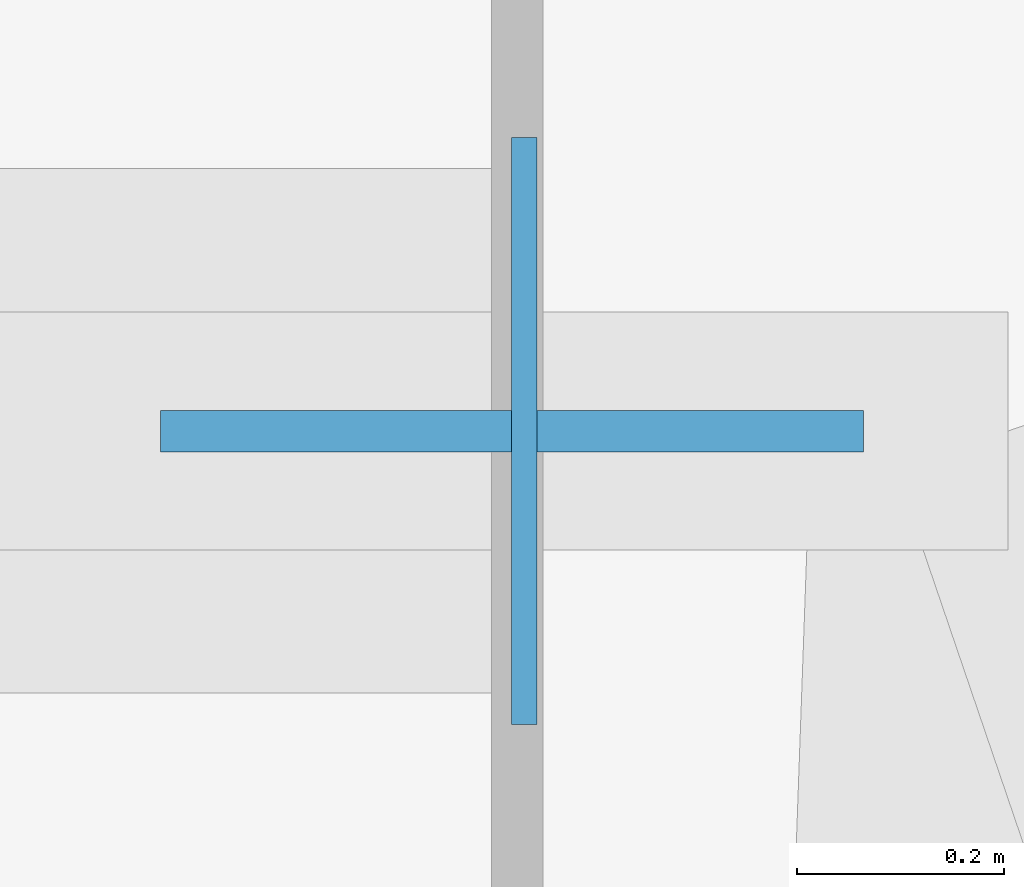
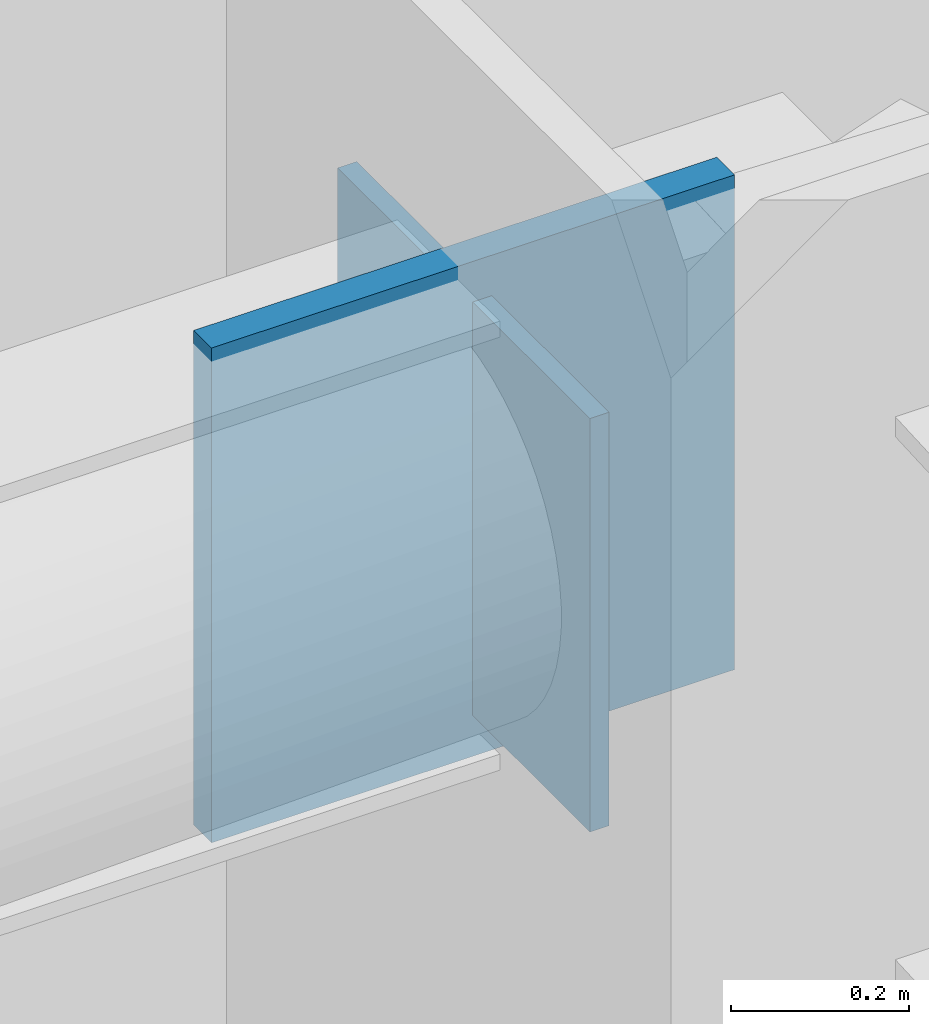
# One storey, part 10 of 18: 2 plates.
"""IFC4 building model written with IfcOpenShell, lengths in metres."""

import ifcopenshell
import ifcopenshell.guid

model = None  # the IFC model being written
_history = None  # IfcOwnerHistory: only IFC2X3 demands one
_inside = {}  # id of a spatial element -> (the spatial element, [elements in it])
_under = {}  # id of a project, library or spatial element -> (it, [spatial elements below it])
_declared = {}  # id of a project -> (the project, [libraries it declares])
_typed = {}  # id of a type object -> (the type object, [elements of that type])
_made_of = {}  # id of a material, layer set ... -> (it, [elements and type objects made of it])


def new_model(schema):
    """Start an empty IFC model of exactly this schema.

    Asked for "IFC4X3", IfcOpenShell would pick the latest addendum, in which some entities
    have other attributes; the version numbers below select the first issue.
    IFC2X3 requires an IfcOwnerHistory on every rooted entity: one is made here for all.
    """
    global model, _history
    if schema == "IFC4X3":
        model = ifcopenshell.file(schema_version=(4, 3, 0, 0))
    else:
        model = ifcopenshell.file(schema=schema)
    _inside.clear()
    _under.clear()
    _declared.clear()
    _typed.clear()
    _made_of.clear()
    _history = None
    if model.schema == "IFC2X3":
        org = make("IfcOrganization", Name="unknown")
        user = make(
            "IfcPersonAndOrganization",
            ThePerson=make("IfcPerson", FamilyName="unknown"),
            TheOrganization=org,
        )
        app = make(
            "IfcApplication",
            ApplicationDeveloper=org,
            Version="unknown",
            ApplicationFullName="unknown",
            ApplicationIdentifier="unknown",
        )
        _history = make(
            "IfcOwnerHistory",
            OwningUser=user,
            OwningApplication=app,
            ChangeAction="ADDED",
            CreationDate=0,
        )
    return model


def make(cls, **values):
    """One entity of the class cls with the attributes given. An attribute that is None is left unset."""
    return model.create_entity(
        cls, **{name: value for name, value in values.items() if value is not None}
    )


def rooted(cls, **values):
    """An entity with a GlobalId (a new one), such as an element, a storey or a relation."""
    return make(cls, GlobalId=ifcopenshell.guid.new(), OwnerHistory=_history, **values)


def si_unit(unit_type, name, prefix=None):
    """IfcSIUnit, for example si_unit("LENGTHUNIT", "METRE", prefix="MILLI")."""
    return make("IfcSIUnit", UnitType=unit_type, Prefix=prefix, Name=name)


def assignment(units):
    """IfcUnitAssignment: the units of a project."""
    return None if units is None else make("IfcUnitAssignment", Units=units)


def point(xyz):
    """IfcCartesianPoint."""
    return None if xyz is None else make("IfcCartesianPoint", Coordinates=xyz)


def direction(xyz):
    """IfcDirection."""
    return None if xyz is None else make("IfcDirection", DirectionRatios=xyz)


def frame(location, z_axis=None, x_axis=None):
    """IfcAxis2Placement3D, a coordinate frame: its origin and axes. An axis left out is left unset."""
    return make(
        "IfcAxis2Placement3D",
        Location=point(location),
        Axis=direction(z_axis),
        RefDirection=direction(x_axis),
    )


def frame_2d(location, x_axis=None):
    """IfcAxis2Placement2D, a coordinate frame in the plane: its origin and x axis."""
    return make(
        "IfcAxis2Placement2D", Location=point(location), RefDirection=direction(x_axis)
    )


def origin():
    """The frame at (0, 0, 0) with its axes left unset."""
    return frame((0.0, 0.0, 0.0))


def origin_2d():
    """The frame at (0, 0) in the plane with its x axis left unset."""
    return frame_2d((0.0, 0.0))


def place(relative_to, where):
    """IfcLocalPlacement: puts the frame where relative to a parent placement (None: the world)."""
    return make(
        "IfcLocalPlacement", PlacementRelTo=relative_to, RelativePlacement=where
    )


def context(
    kind, dimensions, precision=None, world=None, true_north=None, identifier=None
):
    """IfcGeometricRepresentationContext, for example the 3D "Model" context."""
    return make(
        "IfcGeometricRepresentationContext",
        ContextIdentifier=identifier,
        ContextType=kind,
        CoordinateSpaceDimension=dimensions,
        Precision=precision,
        WorldCoordinateSystem=world,
        TrueNorth=true_north,
    )


def subcontext(parent, identifier, kind, view, scale=None):
    """IfcGeometricRepresentationSubContext, for example "Body" below "Model"."""
    return make(
        "IfcGeometricRepresentationSubContext",
        ContextIdentifier=identifier,
        ContextType=kind,
        ParentContext=parent,
        TargetScale=scale,
        TargetView=view,
    )


def project(units=None, contexts=None):
    """IfcProject with its units and contexts."""
    return rooted(
        "IfcProject",
        Name="project",
        RepresentationContexts=contexts,
        UnitsInContext=assignment(units),
    )


def spatial(cls, under=None, at=None, **own):
    """A site, building, storey or space (cls), placed at a placement, below another one or the project."""
    s = rooted(cls, ObjectPlacement=at, **own)
    if under is not None:
        _under.setdefault(under.id(), (under, []))[1].append(s)
    return s


def profile(cls, at=None, kind="AREA", **sizes):
    """A parametric profile (cls). Its sizes go by their IFC names, for example OverallWidth=200.0."""
    return make(cls, ProfileType=kind, Position=at, **sizes)


def rectangle(**sizes):
    """IfcRectangleProfileDef."""
    return profile("IfcRectangleProfileDef", **sizes)


def extrude(swept, where, along, depth):
    """IfcExtrudedAreaSolid: the profile swept, set in the frame where, extruded along a direction by depth."""
    return make(
        "IfcExtrudedAreaSolid",
        SweptArea=swept,
        Position=where,
        ExtrudedDirection=direction(along),
        Depth=depth,
    )


def shape(context_of_items, identifier, shape_type, items):
    """IfcShapeRepresentation: the items that make up one representation, for example the "Body"."""
    return make(
        "IfcShapeRepresentation",
        ContextOfItems=context_of_items,
        RepresentationIdentifier=identifier,
        RepresentationType=shape_type,
        Items=items,
    )


def material(Name=None, Category=None):
    """IfcMaterial."""
    return make("IfcMaterial", Name=Name, Category=Category)


def layer(
    of_material, thickness, ventilated=None, Name=None, Category=None, Priority=None
):
    """IfcMaterialLayer: one layer of a wall or slab, of a material (None: an air gap)."""
    return make(
        "IfcMaterialLayer",
        Material=of_material,
        LayerThickness=thickness,
        IsVentilated=ventilated,
        Name=Name,
        Category=Category,
        Priority=Priority,
    )


def layer_set(layers, Name=None):
    """IfcMaterialLayerSet."""
    return make("IfcMaterialLayerSet", MaterialLayers=layers, LayerSetName=Name)


def made_of(thing, what):
    """Note that an element or type object is made of a material, layer set ...; save() writes the relation."""
    if what is not None:
        _made_of.setdefault(what.id(), (what, []))[1].append(thing)
    return thing


def type_object(cls, material=None, **own):
    """A type object (cls), such as IfcWallType, which elements share."""
    return made_of(rooted(cls, **own), material)


def element(
    cls,
    number,
    at=None,
    inside=None,
    cuts=None,
    type_object=None,
    material=None,
    context=None,
    identifier="Body",
    shape_type=None,
    held_by="IfcProductDefinitionShape",
    body=None,
    shapes=None,
    **own,
):
    """One element of the class cls, such as IfcWall. Its Tag is "e" and its number.

    at: its placement. inside: the storey or other place that contains it. cuts: it is an
    opening in that element (IfcRelVoidsElement). A single representation is given by context,
    identifier, shape_type and body (its items); several are given by shapes. held_by: the class
    of the entity that holds the representations. save() writes the other relations.
    """
    e = rooted(cls, Tag="e%d" % number, ObjectPlacement=at, **own)
    if body is not None:
        shapes = [shape(context, identifier, shape_type, body)]
    if shapes is not None:
        e.Representation = make(held_by, Representations=shapes)
    if inside is not None:
        _inside.setdefault(inside.id(), (inside, []))[1].append(e)
    if cuts is not None:
        rooted(
            "IfcRelVoidsElement", RelatingBuildingElement=cuts, RelatedOpeningElement=e
        )
    if type_object is not None:
        _typed.setdefault(type_object.id(), (type_object, []))[1].append(e)
    return made_of(e, material)


def aggregate(whole, parts):
    """IfcRelAggregates: a whole, such as a stair, and the parts it consists of."""
    return rooted("IfcRelAggregates", RelatingObject=whole, RelatedObjects=parts)


def save(model, path):
    """Write the relations noted so far, then the file.

    IfcRelAggregates (storeys below a building ...), IfcRelContainedInSpatialStructure (elements
    in a storey), IfcRelDefinesByType, IfcRelAssociatesMaterial and IfcRelDeclares: one each for
    every whole, place, type object, material and project.
    """
    for whole, parts in _under.values():
        aggregate(whole, parts)
    for where, things in _inside.values():
        rooted(
            "IfcRelContainedInSpatialStructure",
            RelatedElements=things,
            RelatingStructure=where,
        )
    for kind, things in _typed.values():
        rooted("IfcRelDefinesByType", RelatedObjects=things, RelatingType=kind)
    for what, things in _made_of.values():
        rooted("IfcRelAssociatesMaterial", RelatedObjects=things, RelatingMaterial=what)
    for by, libraries in _declared.values():
        rooted("IfcRelDeclares", RelatingContext=by, RelatedDefinitions=libraries)
    model.write(path)


model = new_model("IFC4")

# Units and contexts
model_context = context("Model", 3, precision=1e-05, world=origin(), true_north=direction((0.0, 1.0)))
body_context = subcontext(model_context, "Body", "Model", "MODEL_VIEW")
ifc_project = project(units=[si_unit("LENGTHUNIT", "METRE"), si_unit("AREAUNIT", "SQUARE_METRE"), si_unit("VOLUMEUNIT", "CUBIC_METRE"), si_unit("PLANEANGLEUNIT", "RADIAN"), si_unit("MASSUNIT", "GRAM", prefix="KILO")], contexts=[model_context])

# Site, building, storey
site_placement = place(None, origin())
site = spatial("IfcSite", under=ifc_project, at=site_placement, CompositionType="ELEMENT")
building_placement = place(site_placement, origin())
building = spatial("IfcBuilding", under=site, at=building_placement, Name="Khamvora Tower", CompositionType="ELEMENT")
storey_placement = place(building_placement, frame((0.0, 0.0, 80.75)))
storey = spatial("IfcBuildingStorey", under=building, at=storey_placement, Name="L20", CompositionType="ELEMENT", Elevation=80.75)

# Plates
ifc_material_1 = material(Name="Steel S355", Category="steel")
ifc_layer_1 = layer(ifc_material_1, 0.02490234375)
ifc_layer_set_1 = layer_set([ifc_layer_1], Name="Steel S355")
plate_type_1 = type_object("IfcPlateType", Name="PL-CAP-25", PredefinedType="SHEET", material=ifc_layer_set_1)
plate_1_placement = place(storey_placement, frame((43.781982421875, 50.800048828125, 2.72412109375), z_axis=(0.0, 0.0, 1.0), x_axis=(1.0, 0.0, 0.0)))
element("IfcPlate", 1, at=plate_1_placement, inside=storey, type_object=plate_type_1, Name="L20 hollow section steel end cap plate 0611", PredefinedType="SHEET", context=body_context, shape_type="SweptSolid", body=[
    extrude(rectangle(XDim=0.02490234375, YDim=0.568115234375, at=origin_2d()), origin(), (0.0, 0.0, 1.0), 0.568115234375),
])
ifc_material_2 = material(Name="Steel S460", Category="steel")
ifc_layer_2 = layer(ifc_material_2, 0.0400390625)
ifc_layer_set_2 = layer_set([ifc_layer_2], Name="Steel S460")
plate_type_2 = type_object("IfcPlateType", Name="PLT-GUS-40", PredefinedType="SHEET", material=ifc_layer_set_2)
plate_2_placement = place(storey_placement, frame((43.77001953125, 50.800048828125, 2.66796875), z_axis=(0.0, 0.0, 1.0), x_axis=(1.0, 0.0, 0.0)))
element("IfcPlate", 2, at=plate_2_placement, inside=storey, type_object=plate_type_2, Name="L20 brace connection node gusset plate 0128", PredefinedType="SHEET", context=body_context, shape_type="SweptSolid", body=[
    extrude(rectangle(XDim=0.679931640625, YDim=0.0400390625, at=origin_2d()), origin(), (0.0, 0.0, 1.0), 0.679931640625),
])

save(model, "model.ifc")
